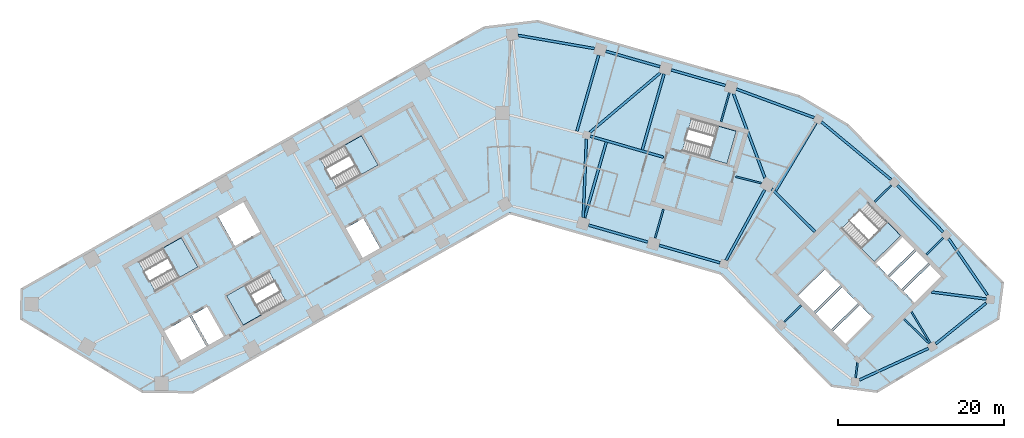
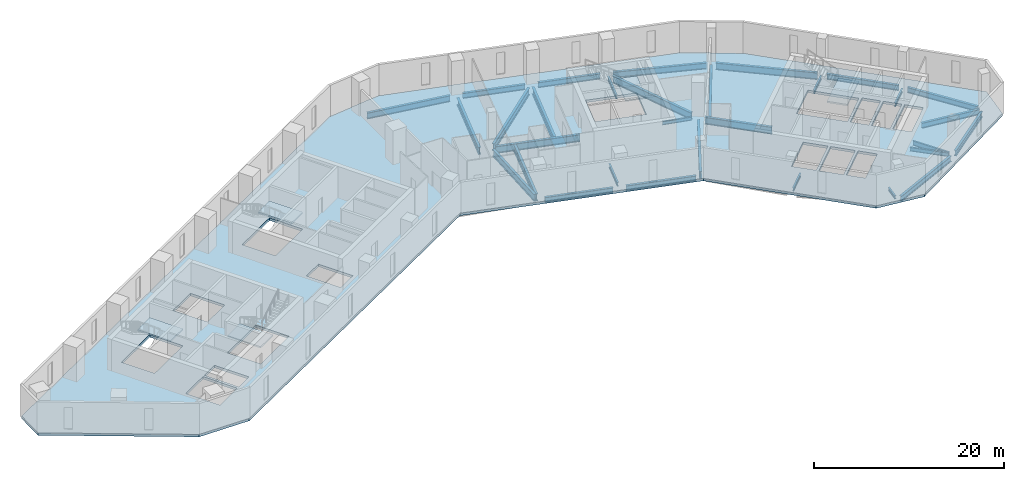
# One storey, part 2 of 10: 31 beams, 6 slabs, 5 elements without a shape of their own.
"""IFC4 building model written with IfcOpenShell, lengths in metres."""

from ifc_helpers import new_model, si_unit, direction, frame, origin, origin_2d, place, context, subcontext, project, spatial, polyline, i_section, outline, extrude, material, layer, layer_set, material_profile, profile_set, type_object, element, aggregate, save


model = new_model("IFC4")

# Units and contexts
model_context = context("Model", 3, precision=1e-05, world=origin(), true_north=direction((0.0, 1.0)))
body_context = subcontext(model_context, "Body", "Model", "MODEL_VIEW")
ifc_project = project(units=[si_unit("LENGTHUNIT", "METRE"), si_unit("AREAUNIT", "SQUARE_METRE"), si_unit("VOLUMEUNIT", "CUBIC_METRE"), si_unit("PLANEANGLEUNIT", "RADIAN"), si_unit("MASSUNIT", "GRAM", prefix="KILO")], contexts=[model_context])

# Site, building, storey
site_placement = place(None, origin())
site = spatial("IfcSite", under=ifc_project, at=site_placement, CompositionType="ELEMENT")
building_placement = place(site_placement, origin())
building = spatial("IfcBuilding", under=site, at=building_placement, Name="Binnacle Exchange Tower", CompositionType="ELEMENT")
storey_placement = place(building_placement, frame((0.0, 0.0, 136.699951171875)))
storey = spatial("IfcBuildingStorey", under=building, at=storey_placement, Name="L28", CompositionType="ELEMENT", Elevation=136.699951171875)

# Beams
ifc_material_1 = material(Name="Steel S355 (SHN355)", Category="steel")
ifc_material_profile_1 = material_profile(ifc_material_1, i_section(OverallWidth=0.300048828125, OverallDepth=0.699951171875, WebThickness=0.012939453125, FlangeThickness=0.02392578125, FilletRadius=0.028076171875, at=origin_2d()), Name="H 700x300x13x24")
ifc_profile_set_1 = profile_set([ifc_material_profile_1], Name="Steel S355 (SHN355)")
beam_type_1 = type_object("IfcBeamType", Name="Edge girder H 700x300x13x24 Steel S355 (SHN355)", PredefinedType="SPANDREL", material=ifc_profile_set_1)
beam_1_placement = place(storey_placement, frame((9.482421875, 46.529296875, -0.669921875), z_axis=(0.961257800717, -0.275650939705, 0.0), x_axis=(0.275650939705, 0.961257800717, 0.0)))
element("IfcBeam", 1, at=beam_1_placement, inside=storey, type_object=beam_type_1, Name="S:BM:edge:L28:030", PredefinedType="SPANDREL", context=body_context, shape_type="SweptSolid", body=[
    extrude(i_section(OverallWidth=0.300048828125, OverallDepth=0.699951171875, WebThickness=0.012939453125, FlangeThickness=0.02392578125, FilletRadius=0.028076171875, at=origin_2d()), origin(), (0.0, 0.0, 1.0), 7.42041015625),
])
beam_2_placement = place(storey_placement, frame((17.961181640625, 44.09814453125, -0.669921875), z_axis=(0.961257524102, -0.275651904325, 0.0), x_axis=(0.275651904325, 0.961257524102, 0.0)))
element("IfcBeam", 2, at=beam_2_placement, inside=storey, type_object=beam_type_1, Name="S:BM:edge:L28:032", PredefinedType="SPANDREL", context=body_context, shape_type="SweptSolid", body=[
    extrude(i_section(OverallWidth=0.300048828125, OverallDepth=0.699951171875, WebThickness=0.012939453125, FlangeThickness=0.02392578125, FilletRadius=0.028076171875, at=origin_2d()), origin(), (0.0, 0.0, 1.0), 7.620361328125),
])
for number, where, z_axis, x_axis, name in (
    (3, (18.073486328125, 65.569091796875, -0.669921875), (-0.961258249907, 0.275649373272, 0.0), (-0.275649373272, -0.961258249907, 0.0), "S:BM:edge:L28:033"),
    (4, (25.9296875, 63.31640625, -0.669921875), (-0.961258249907, 0.275649373272, 0.0), (-0.275649373272, -0.961258249907, 0.0), "S:BM:edge:L28:034"),
):
    element("IfcBeam", number, at=place(storey_placement, frame(where, z_axis=z_axis, x_axis=x_axis)), inside=storey, type_object=beam_type_1, Name=name, PredefinedType="SPANDREL", context=body_context, shape_type="SweptSolid", body=[
        extrude(i_section(OverallWidth=0.300048828125, OverallDepth=0.699951171875, WebThickness=0.012939453125, FlangeThickness=0.02392578125, FilletRadius=0.028076171875, at=origin_2d()), origin(), (0.0, 0.0, 1.0), 6.77294921875),
    ])
beam_3_placement = place(storey_placement, frame((51.20458984375, 32.248291015625, -0.669921875), z_axis=(0.777570349394, 0.628795953981, 0.0), x_axis=(-0.628795953981, 0.777570349394, 0.0)))
element("IfcBeam", 5, at=beam_3_placement, inside=storey, type_object=beam_type_1, Name="S:BM:edge:L28:040", PredefinedType="SPANDREL", context=body_context, shape_type="SweptSolid", body=[
    extrude(i_section(OverallWidth=0.300048828125, OverallDepth=0.699951171875, WebThickness=0.012939453125, FlangeThickness=0.02392578125, FilletRadius=0.028076171875, at=origin_2d()), origin(), (0.0, 0.0, 1.0), 7.788330078125),
])
beam_4_placement = place(storey_placement, frame((52.1162109375, 45.69580078125, -0.669921875), z_axis=(-0.700892629455, 0.713266795789, 0.0), x_axis=(-0.713266795789, -0.700892629455, 0.0)))
element("IfcBeam", 6, at=beam_4_placement, inside=storey, type_object=beam_type_1, Name="S:BM:edge:L28:041", PredefinedType="SPANDREL", context=body_context, shape_type="SweptSolid", body=[
    extrude(i_section(OverallWidth=0.300048828125, OverallDepth=0.699951171875, WebThickness=0.012939453125, FlangeThickness=0.02392578125, FilletRadius=0.028076171875, at=origin_2d()), origin(), (0.0, 0.0, 1.0), 7.872314453125),
])
beam_5_placement = place(storey_placement, frame((57.41943359375, 38.13330078125, -0.669921875), z_axis=(-0.566410561214, 0.824123216604, 0.0), x_axis=(-0.824123216604, -0.566410561214, 0.0)))
element("IfcBeam", 7, at=beam_5_placement, inside=storey, type_object=beam_type_1, Name="S:BM:edge:L28:042", PredefinedType="SPANDREL", context=body_context, shape_type="SweptSolid", body=[
    extrude(i_section(OverallWidth=0.300048828125, OverallDepth=0.699951171875, WebThickness=0.012939453125, FlangeThickness=0.02392578125, FilletRadius=0.028076171875, at=origin_2d()), origin(), (0.0, 0.0, 1.0), 8.236083984375),
])
ifc_material_profile_2 = material_profile(ifc_material_1, i_section(OverallWidth=0.302001953125, OverallDepth=0.7080078125, WebThickness=0.014892578125, FlangeThickness=0.028076171875, FilletRadius=0.028076171875, at=origin_2d()), Name="H 708x302x15x28")
ifc_profile_set_2 = profile_set([ifc_material_profile_2], Name="Steel S355 (SHN355)")
beam_type_2 = type_object("IfcBeamType", Name="Edge girder H 708x302x15x28 Steel S355 (SHN355)", PredefinedType="SPANDREL", material=ifc_profile_set_2)
beam_6_placement = place(storey_placement, frame((42.054931640625, 27.919921875, -0.674072265625), z_axis=(0.909166515566, 0.41643276405, 0.0), x_axis=(-0.41643276405, 0.909166515566, 0.0)))
element("IfcBeam", 8, at=beam_6_placement, inside=storey, type_object=beam_type_2, Name="S:BM:edge:L28:038", PredefinedType="SPANDREL", context=body_context, shape_type="SweptSolid", body=[
    extrude(i_section(OverallWidth=0.302001953125, OverallDepth=0.7080078125, WebThickness=0.014892578125, FlangeThickness=0.028076171875, FilletRadius=0.028076171875, at=origin_2d()), origin(), (0.0, 0.0, 1.0), 9.128662109375),
])
ifc_material_profile_3 = material_profile(ifc_material_1, i_section(OverallWidth=0.300048828125, OverallDepth=0.800048828125, WebThickness=0.013916015625, FlangeThickness=0.02587890625, FilletRadius=0.028076171875, at=origin_2d()), Name="H 800x300x14x26")
ifc_profile_set_3 = profile_set([ifc_material_profile_3], Name="Steel S355 (SHN355)")
beam_type_3 = type_object("IfcBeamType", Name="Edge girder H 800x300x14x26 Steel S355 (SHN355)", PredefinedType="SPANDREL", material=ifc_profile_set_3)
beam_7_placement = place(storey_placement, frame((10.1962890625, 67.749267578125, -0.719970703125), z_axis=(-0.985312784176, 0.170759237931, 0.0), x_axis=(-0.170759237931, -0.985312784176, 0.0)))
element("IfcBeam", 9, at=beam_7_placement, inside=storey, type_object=beam_type_3, Name="S:BM:edge:L28:031", PredefinedType="SPANDREL", context=body_context, shape_type="SweptSolid", body=[
    extrude(i_section(OverallWidth=0.300048828125, OverallDepth=0.800048828125, WebThickness=0.013916015625, FlangeThickness=0.02587890625, FilletRadius=0.028076171875, at=origin_2d()), origin(), (0.0, 0.0, 1.0), 9.313232421875),
])
ifc_material_profile_4 = material_profile(ifc_material_1, i_section(OverallWidth=0.302001953125, OverallDepth=0.80810546875, WebThickness=0.01611328125, FlangeThickness=0.030029296875, FilletRadius=0.028076171875, at=origin_2d()), Name="H 808x302x16x30")
ifc_profile_set_4 = profile_set([ifc_material_profile_4], Name="Steel S355 (SHN355)")
beam_type_4 = type_object("IfcBeamType", Name="Edge girder H 808x302x16x30 Steel S355 (SHN355)", PredefinedType="SPANDREL", material=ifc_profile_set_4)
beam_8_placement = place(storey_placement, frame((36.60791015625, 59.438232421875, -0.723876953125), z_axis=(-0.938371988478, 0.3456269828, 0.0), x_axis=(-0.3456269828, -0.938371988478, 0.0)))
element("IfcBeam", 10, at=beam_8_placement, inside=storey, type_object=beam_type_4, Name="S:BM:edge:L28:037", PredefinedType="SPANDREL", context=body_context, shape_type="SweptSolid", body=[
    extrude(i_section(OverallWidth=0.302001953125, OverallDepth=0.80810546875, WebThickness=0.01611328125, FlangeThickness=0.030029296875, FilletRadius=0.028076171875, at=origin_2d()), origin(), (0.0, 0.0, 1.0), 9.96044921875),
])
ifc_material_profile_5 = material_profile(ifc_material_1, i_section(OverallWidth=0.300048828125, OverallDepth=0.89990234375, WebThickness=0.01611328125, FlangeThickness=0.028076171875, FilletRadius=0.028076171875, at=origin_2d()), Name="H 900x300x16x28")
ifc_profile_set_5 = profile_set([ifc_material_profile_5], Name="Steel S355 (SHN355)")
beam_type_5 = type_object("IfcBeamType", Name="Edge girder H 900x300x16x28 Steel S355 (SHN355)", PredefinedType="SPANDREL", material=ifc_profile_set_5)
beam_9_placement = place(storey_placement, frame((45.861083984375, 51.988037109375, -0.77001953125), z_axis=(-0.769903256509, 0.63816061898, 0.0), x_axis=(-0.63816061898, -0.769903256509, 0.0)))
element("IfcBeam", 11, at=beam_9_placement, inside=storey, type_object=beam_type_5, Name="S:BM:edge:L28:039", PredefinedType="SPANDREL", context=body_context, shape_type="SweptSolid", body=[
    extrude(i_section(OverallWidth=0.300048828125, OverallDepth=0.89990234375, WebThickness=0.01611328125, FlangeThickness=0.028076171875, FilletRadius=0.028076171875, at=origin_2d()), origin(), (0.0, 0.0, 1.0), 10.892822265625),
])
ifc_material_profile_6 = material_profile(ifc_material_1, i_section(OverallWidth=0.199951171875, OverallDepth=0.39990234375, WebThickness=0.008056640625, FlangeThickness=0.012939453125, FilletRadius=0.01611328125, at=origin_2d()), Name="H 400x200x8x13")
ifc_profile_set_6 = profile_set([ifc_material_profile_6], Name="Steel S355 (SHN355)")
beam_type_6 = type_object("IfcBeamType", Name="Floor beam H 400x200x8x13 Steel S355 (SHN355)", PredefinedType="BEAM", material=ifc_profile_set_6)
beam_10_placement = place(storey_placement, frame((41.582763671875, 28.1708984375, -0.52001953125), z_axis=(0.12626620762, 0.991996393549, 0.0), x_axis=(-0.991996393549, 0.12626620762, 0.0)))
element("IfcBeam", 12, at=beam_10_placement, inside=storey, type_object=beam_type_6, Name="S:BM:cross:L28:063", PredefinedType="BEAM", context=body_context, shape_type="SweptSolid", body=[
    extrude(i_section(OverallWidth=0.199951171875, OverallDepth=0.39990234375, WebThickness=0.008056640625, FlangeThickness=0.012939453125, FilletRadius=0.01611328125, at=origin_2d()), origin(), (0.0, 0.0, 1.0), 1.8310546875),
])
ifc_material_profile_7 = material_profile(ifc_material_1, i_section(OverallWidth=0.199951171875, OverallDepth=0.449951171875, WebThickness=0.009033203125, FlangeThickness=0.013916015625, FilletRadius=0.01806640625, at=origin_2d()), Name="H 450x200x9x14")
ifc_profile_set_7 = profile_set([ifc_material_profile_7], Name="Steel S355 (SHN355)")
beam_type_7 = type_object("IfcBeamType", Name="Floor beam H 450x200x9x14 Steel S355 (SHN355)", PredefinedType="BEAM", material=ifc_profile_set_7)
for number, where, z_axis, x_axis, name in (
    (13, (32.997802734375, 34.880615234375, -0.544921875), (0.713272005304, 0.700887327928, 0.0), (-0.700887327928, 0.713272005304, 0.0), "S:BM:cross:L28:061"),
    (14, (45.8916015625, 51.31689453125, -0.544921875), (-0.713272005304, -0.700887327928, 0.0), (0.700887327928, -0.713272005304, 0.0), "S:BM:cross:L28:064"),
    (15, (52.110107421875, 44.98876953125, -0.544921875), (-0.713272005304, -0.700887327928, 0.0), (0.700887327928, -0.713272005304, 0.0), "S:BM:cross:L28:066"),
):
    element("IfcBeam", number, at=place(storey_placement, frame(where, z_axis=z_axis, x_axis=x_axis)), inside=storey, type_object=beam_type_7, Name=name, PredefinedType="BEAM", context=body_context, shape_type="SweptSolid", body=[
        extrude(i_section(OverallWidth=0.199951171875, OverallDepth=0.449951171875, WebThickness=0.009033203125, FlangeThickness=0.013916015625, FilletRadius=0.01806640625, at=origin_2d()), origin(), (0.0, 0.0, 1.0), 2.8583984375),
    ])
ifc_material_profile_8 = material_profile(ifc_material_1, i_section(OverallWidth=0.200927734375, OverallDepth=0.506103515625, WebThickness=0.010986328125, FlangeThickness=0.01904296875, FilletRadius=0.02001953125, at=origin_2d()), Name="H 506x201x11x19")
ifc_profile_set_8 = profile_set([ifc_material_profile_8], Name="Steel S355 (SHN355)")
beam_type_8 = type_object("IfcBeamType", Name="Floor beam H 506x201x11x19 Steel S355 (SHN355)", PredefinedType="BEAM", material=ifc_profile_set_8)
beam_11_placement = place(storey_placement, frame((17.481201171875, 44.964111328125, -0.572998046875), z_axis=(0.275643564404, 0.961259915633, 0.0), x_axis=(-0.961259915633, 0.275643564404, 0.0)))
element("IfcBeam", 16, at=beam_11_placement, inside=storey, type_object=beam_type_8, Name="S:BM:cross:L28:058", PredefinedType="BEAM", context=body_context, shape_type="SweptSolid", body=[
    extrude(i_section(OverallWidth=0.200927734375, OverallDepth=0.506103515625, WebThickness=0.010986328125, FlangeThickness=0.01904296875, FilletRadius=0.02001953125, at=origin_2d()), origin(), (0.0, 0.0, 1.0), 3.635009765625),
])
beam_12_placement = place(storey_placement, frame((26.409912109375, 62.45068359375, -0.572998046875), z_axis=(-0.275687825643, -0.961247222515, 0.0), x_axis=(0.961247222515, -0.275687825643, 0.0)))
element("IfcBeam", 17, at=beam_12_placement, inside=storey, type_object=beam_type_8, Name="S:BM:cross:L28:060", PredefinedType="BEAM", context=body_context, shape_type="SweptSolid", body=[
    extrude(i_section(OverallWidth=0.200927734375, OverallDepth=0.506103515625, WebThickness=0.010986328125, FlangeThickness=0.01904296875, FilletRadius=0.02001953125, at=origin_2d()), origin(), (0.0, 0.0, 1.0), 3.63525390625),
])
ifc_material_profile_9 = material_profile(ifc_material_1, i_section(OverallWidth=0.199951171875, OverallDepth=0.60009765625, WebThickness=0.010986328125, FlangeThickness=0.01708984375, FilletRadius=0.02197265625, at=origin_2d()), Name="H 600x200x11x17")
ifc_profile_set_9 = profile_set([ifc_material_profile_9], Name="Steel S355 (SHN355)")
beam_type_9 = type_object("IfcBeamType", Name="Floor beam H 600x200x11x17 Steel S355 (SHN355)", PredefinedType="BEAM", material=ifc_profile_set_9)
beam_13_placement = place(storey_placement, frame((50.554443359375, 32.359619140625, -0.619873046875), z_axis=(-0.515054637465, 0.857157348697, 0.0), x_axis=(-0.857157348697, -0.515054637465, 0.0)))
element("IfcBeam", 18, at=beam_13_placement, inside=storey, type_object=beam_type_9, Name="S:BM:cross:L28:065", PredefinedType="BEAM", context=body_context, shape_type="SweptSolid", body=[
    extrude(i_section(OverallWidth=0.199951171875, OverallDepth=0.60009765625, WebThickness=0.010986328125, FlangeThickness=0.01708984375, FilletRadius=0.02197265625, at=origin_2d()), origin(), (0.0, 0.0, 1.0), 4.367431640625),
])
ifc_material_profile_10 = material_profile(ifc_material_1, i_section(OverallWidth=0.300048828125, OverallDepth=0.699951171875, WebThickness=0.012939453125, FlangeThickness=0.02392578125, FilletRadius=0.028076171875, at=origin_2d()), Name="H 700x300x13x24")
ifc_profile_set_10 = profile_set([ifc_material_profile_10], Name="Steel S355 (SHN355)")
beam_type_10 = type_object("IfcBeamType", Name="Floor beam H 700x300x13x24 Steel S355 (SHN355)", PredefinedType="BEAM", material=ifc_profile_set_10)
beam_14_placement = place(storey_placement, frame((57.302978515625, 37.64404296875, -0.669921875), z_axis=(-0.992004198178, 0.12620487628, 0.0), x_axis=(-0.12620487628, -0.992004198178, 0.0)))
element("IfcBeam", 19, at=beam_14_placement, inside=storey, type_object=beam_type_10, Name="S:BM:cross:L28:067", PredefinedType="BEAM", context=body_context, shape_type="SweptSolid", body=[
    extrude(i_section(OverallWidth=0.300048828125, OverallDepth=0.699951171875, WebThickness=0.012939453125, FlangeThickness=0.02392578125, FilletRadius=0.028076171875, at=origin_2d()), origin(), (0.0, 0.0, 1.0), 6.63134765625),
])
ifc_material_profile_11 = material_profile(ifc_material_1, i_section(OverallWidth=0.302978515625, OverallDepth=0.91796875, WebThickness=0.01904296875, FlangeThickness=0.037109375, FilletRadius=0.028076171875, at=origin_2d()), Name="H 918x303x19x37")
ifc_profile_set_11 = profile_set([ifc_material_profile_11], Name="Steel S355 (SHN355)")
beam_type_11 = type_object("IfcBeamType", Name="Floor beam H 918x303x19x37 Steel S355 (SHN355)", PredefinedType="BEAM", material=ifc_profile_set_11)
beam_15_placement = place(storey_placement, frame((9.00244140625, 47.395263671875, -0.779052734375), z_axis=(0.275642274849, 0.961260285415, 0.0), x_axis=(-0.961260285415, 0.275642274849, 0.0)))
element("IfcBeam", 20, at=beam_15_placement, inside=storey, type_object=beam_type_11, Name="S:BM:cross:L28:056", PredefinedType="BEAM", context=body_context, shape_type="SweptSolid", body=[
    extrude(i_section(OverallWidth=0.302978515625, OverallDepth=0.91796875, WebThickness=0.01904296875, FlangeThickness=0.037109375, FilletRadius=0.028076171875, at=origin_2d()), origin(), (0.0, 0.0, 1.0), 9.485107421875),
])
beam_16_placement = place(storey_placement, frame((10.697021484375, 66.9560546875, -0.779052734375), z_axis=(-0.27562260808, -0.961265924661, 0.0), x_axis=(0.961265924661, -0.27562260808, 0.0)))
element("IfcBeam", 21, at=beam_16_placement, inside=storey, type_object=beam_type_11, Name="S:BM:cross:L28:057", PredefinedType="BEAM", context=body_context, shape_type="SweptSolid", body=[
    extrude(i_section(OverallWidth=0.302978515625, OverallDepth=0.91796875, WebThickness=0.01904296875, FlangeThickness=0.037109375, FilletRadius=0.028076171875, at=origin_2d()), origin(), (0.0, 0.0, 1.0), 9.51318359375),
])
beam_17_placement = place(storey_placement, frame((18.553466796875, 64.703369140625, -0.779052734375), z_axis=(-0.275642274849, -0.961260285415, 0.0), x_axis=(0.961260285415, -0.275642274849, 0.0)))
element("IfcBeam", 22, at=beam_17_placement, inside=storey, type_object=beam_type_11, Name="S:BM:cross:L28:059", PredefinedType="BEAM", context=body_context, shape_type="SweptSolid", body=[
    extrude(i_section(OverallWidth=0.302978515625, OverallDepth=0.91796875, WebThickness=0.01904296875, FlangeThickness=0.037109375, FilletRadius=0.028076171875, at=origin_2d()), origin(), (0.0, 0.0, 1.0), 9.485107421875),
])
beam_18_placement = place(storey_placement, frame((36.829345703125, 58.832763671875, -0.779052734375), z_axis=(-0.51129570724, -0.859404852068, 0.0), x_axis=(0.859404852068, -0.51129570724, 0.0)))
element("IfcBeam", 23, at=beam_18_placement, inside=storey, type_object=beam_type_11, Name="S:BM:cross:L28:062", PredefinedType="BEAM", context=body_context, shape_type="SweptSolid", body=[
    extrude(i_section(OverallWidth=0.302978515625, OverallDepth=0.91796875, WebThickness=0.01904296875, FlangeThickness=0.037109375, FilletRadius=0.028076171875, at=origin_2d()), origin(), (0.0, 0.0, 1.0), 9.5361328125),
])
ifc_material_profile_12 = material_profile(ifc_material_1, i_section(OverallWidth=0.199951171875, OverallDepth=0.449951171875, WebThickness=0.009033203125, FlangeThickness=0.013916015625, FilletRadius=0.01806640625, at=origin_2d()), Name="H 450x200x9x14")
ifc_profile_set_12 = profile_set([ifc_material_profile_12], Name="Steel S355 (SHN355)")
beam_type_12 = type_object("IfcBeamType", Name="Spine girder H 450x200x9x14 Steel S355 (SHN355)", PredefinedType="BEAM", material=ifc_profile_set_12)
beam_19_placement = place(storey_placement, frame((27.17138671875, 52.35400390625, -0.544921875), z_axis=(0.969348404361, -0.245690193055, 0.0), x_axis=(0.245690193055, 0.969348404361, 0.0)))
element("IfcBeam", 24, at=beam_19_placement, inside=storey, type_object=beam_type_12, Name="S:BM:spine:L28:010", PredefinedType="BEAM", context=body_context, shape_type="SweptSolid", body=[
    extrude(i_section(OverallWidth=0.199951171875, OverallDepth=0.449951171875, WebThickness=0.009033203125, FlangeThickness=0.013916015625, FilletRadius=0.01806640625, at=origin_2d()), origin(), (0.0, 0.0, 1.0), 3.20361328125),
])
ifc_material_profile_13 = material_profile(ifc_material_1, i_section(OverallWidth=0.200927734375, OverallDepth=0.506103515625, WebThickness=0.010986328125, FlangeThickness=0.01904296875, FilletRadius=0.02001953125, at=origin_2d()), Name="H 506x201x11x19")
ifc_profile_set_13 = profile_set([ifc_material_profile_13], Name="Steel S355 (SHN355)")
beam_type_13 = type_object("IfcBeamType", Name="Spine girder H 506x201x11x19 Steel S355 (SHN355)", PredefinedType="BEAM", material=ifc_profile_set_13)
beam_20_placement = place(storey_placement, frame((47.417236328125, 35.23095703125, -0.572998046875), z_axis=(0.71705117811, -0.697020521915, 0.0), x_axis=(0.697020521915, 0.71705117811, 0.0)))
element("IfcBeam", 25, at=beam_20_placement, inside=storey, type_object=beam_type_13, Name="S:BM:spine:L28:014", PredefinedType="BEAM", context=body_context, shape_type="SweptSolid", body=[
    extrude(i_section(OverallWidth=0.200927734375, OverallDepth=0.506103515625, WebThickness=0.010986328125, FlangeThickness=0.01904296875, FilletRadius=0.02001953125, at=origin_2d()), origin(), (0.0, 0.0, 1.0), 4.21728515625),
])
ifc_material_profile_14 = material_profile(ifc_material_1, i_section(OverallWidth=0.300048828125, OverallDepth=0.89990234375, WebThickness=0.01611328125, FlangeThickness=0.028076171875, FilletRadius=0.028076171875, at=origin_2d()), Name="H 900x300x16x28")
ifc_profile_set_14 = profile_set([ifc_material_profile_14], Name="Steel S355 (SHN355)")
beam_type_14 = type_object("IfcBeamType", Name="Spine girder H 900x300x16x28 Steel S355 (SHN355)", PredefinedType="BEAM", material=ifc_profile_set_14)
beam_21_placement = place(storey_placement, frame((9.22216796875, 56.887451171875, -0.77001953125), z_axis=(-0.040573469093, -0.999176557774, 0.0), x_axis=(0.999176557774, -0.040573469093, 0.0)))
element("IfcBeam", 26, at=beam_21_placement, inside=storey, type_object=beam_type_14, Name="S:BM:spine:L28:007", PredefinedType="BEAM", context=body_context, shape_type="SweptSolid", body=[
    extrude(i_section(OverallWidth=0.300048828125, OverallDepth=0.89990234375, WebThickness=0.01611328125, FlangeThickness=0.028076171875, FilletRadius=0.028076171875, at=origin_2d()), origin(), (0.0, 0.0, 1.0), 9.453125),
])
beam_22_placement = place(storey_placement, frame((30.65234375, 50.771484375, -0.77001953125), z_axis=(-0.480722811784, -0.876872612316, 0.0), x_axis=(0.876872612316, -0.480722811784, 0.0)))
element("IfcBeam", 27, at=beam_22_placement, inside=storey, type_object=beam_type_14, Name="S:BM:spine:L28:011", PredefinedType="BEAM", context=body_context, shape_type="SweptSolid", body=[
    extrude(i_section(OverallWidth=0.300048828125, OverallDepth=0.89990234375, WebThickness=0.01611328125, FlangeThickness=0.028076171875, FilletRadius=0.028076171875, at=origin_2d()), origin(), (0.0, 0.0, 1.0), 9.650390625),
])
ifc_material_profile_15 = material_profile(ifc_material_1, i_section(OverallWidth=0.302978515625, OverallDepth=0.91796875, WebThickness=0.01904296875, FlangeThickness=0.037109375, FilletRadius=0.028076171875, at=origin_2d()), Name="H 918x303x19x37")
ifc_profile_set_15 = profile_set([ifc_material_profile_15], Name="Steel S355 (SHN355)")
beam_type_15 = type_object("IfcBeamType", Name="Spine girder H 918x303x19x37 Steel S355 (SHN355)", PredefinedType="BEAM", material=ifc_profile_set_15)
beam_23_placement = place(storey_placement, frame((9.65478515625, 57.69970703125, -0.779052734375), z_axis=(0.764067648684, 0.645136131552, 0.0), x_axis=(-0.645136131552, 0.764067648684, 0.0)))
element("IfcBeam", 28, at=beam_23_placement, inside=storey, type_object=beam_type_15, Name="S:BM:spine:L28:008", PredefinedType="BEAM", context=body_context, shape_type="SweptSolid", body=[
    extrude(i_section(OverallWidth=0.302978515625, OverallDepth=0.91796875, WebThickness=0.01904296875, FlangeThickness=0.037109375, FilletRadius=0.028076171875, at=origin_2d()), origin(), (0.0, 0.0, 1.0), 11.056396484375),
])
beam_24_placement = place(storey_placement, frame((9.673583984375, 57.226318359375, -0.779052734375), z_axis=(0.961256048299, -0.275657050715, 0.0), x_axis=(0.275657050715, 0.961256048299, 0.0)))
element("IfcBeam", 29, at=beam_24_placement, inside=storey, type_object=beam_type_15, Name="S:BM:spine:L28:009", PredefinedType="BEAM", context=body_context, shape_type="SweptSolid", body=[
    extrude(i_section(OverallWidth=0.302978515625, OverallDepth=0.91796875, WebThickness=0.01904296875, FlangeThickness=0.037109375, FilletRadius=0.028076171875, at=origin_2d()), origin(), (0.0, 0.0, 1.0), 9.1630859375),
])
beam_25_placement = place(storey_placement, frame((30.6806640625, 52.212890625, -0.779052734375), z_axis=(-0.350112820386, 0.93670753867, 0.0), x_axis=(-0.93670753867, -0.350112820386, 0.0)))
element("IfcBeam", 30, at=beam_25_placement, inside=storey, type_object=beam_type_15, Name="S:BM:spine:L28:012", PredefinedType="BEAM", context=body_context, shape_type="SweptSolid", body=[
    extrude(i_section(OverallWidth=0.302978515625, OverallDepth=0.91796875, WebThickness=0.01904296875, FlangeThickness=0.037109375, FilletRadius=0.028076171875, at=origin_2d()), origin(), (0.0, 0.0, 1.0), 10.777099609375),
])
beam_26_placement = place(storey_placement, frame((31.499755859375, 50.8818359375, -0.779052734375), z_axis=(0.710998016372, -0.703194013566, 0.0), x_axis=(0.703194013566, 0.710998016372, 0.0)))
element("IfcBeam", 31, at=beam_26_placement, inside=storey, type_object=beam_type_15, Name="S:BM:spine:L28:013", PredefinedType="BEAM", context=body_context, shape_type="SweptSolid", body=[
    extrude(i_section(OverallWidth=0.302978515625, OverallDepth=0.91796875, WebThickness=0.01904296875, FlangeThickness=0.037109375, FilletRadius=0.028076171875, at=origin_2d()), origin(), (0.0, 0.0, 1.0), 7.320556640625),
])

# Slab
ifc_material_2 = material(Name="Concrete C35/45", Category="concrete")
ifc_layer_1 = layer(ifc_material_2, 0.320068359375)
ifc_layer_set_1 = layer_set([ifc_layer_1], Name="Floor slab 320 Concrete C35/45")
slab_type_1 = type_object("IfcSlabType", Name="Floor slab 320 Concrete C35/45", PredefinedType="FLOOR", material=ifc_layer_set_1)
slab_1_placement = place(storey_placement, frame((0.0, 0.0, -0.320068359375)))
element("IfcSlab", 32, at=slab_1_placement, inside=storey, type_object=slab_type_1, Name="S:SL:L28:01", PredefinedType="FLOOR", context=body_context, shape_type="SweptSolid", body=[
    extrude(outline(polyline([(59.262939453125, 39.5791015625), (58.716064453125, 35.280029296875), (44.14404296875, 26.5244140625), (38.69091796875, 27.21826171875), (25.43603515625, 40.706298828125), (0.0, 48.0), (-38.097900390625, 26.4453125), (-44.14404296875, 26.5244140625), (-58.716064453125, 35.280029296875), (-58.669921875, 38.80615234375), (-3.046142578125, 70.276611328125), (3.364501953125, 71.035400390625), (34.789794921875, 62.024169921875), (40.607421875, 58.56298828125), (59.262939453125, 39.5791015625)]), holes=[polyline([(-38.4794921875, 35.529296875), (-41.61279296875, 33.756591796875), (-39.544677734375, 30.10107421875), (-36.411376953125, 31.873779296875), (-38.4794921875, 35.529296875)]), polyline([(-34.322509765625, 33.0556640625), (-36.390625, 36.711181640625), (-38.21826171875, 35.677001953125), (-36.150146484375, 32.021484375), (-34.322509765625, 33.0556640625)]), polyline([(-34.040771484375, 38.04052734375), (-32.04638671875, 34.515625), (-26.9287109375, 37.4111328125), (-28.923095703125, 40.93603515625), (-34.040771484375, 38.04052734375)]), polyline([(-37.486572265625, 41.4912109375), (-39.480712890625, 45.01611328125), (-44.598388671875, 42.12060546875), (-42.604248046875, 38.595703125), (-37.486572265625, 41.4912109375)]), polyline([(-15.53076171875, 43.6875), (-17.598876953125, 47.343017578125), (-19.77490234375, 46.11181640625), (-17.70654296875, 42.456298828125), (-15.53076171875, 43.6875)]), polyline([(-29.914306640625, 45.775390625), (-31.982666015625, 49.430908203125), (-35.115966796875, 47.657958984375), (-33.047607421875, 44.00244140625), (-29.914306640625, 45.775390625)]), polyline([(-15.822509765625, 53.748046875), (-17.81689453125, 57.27294921875), (-22.760498046875, 54.47607421875), (-20.76611328125, 50.950927734375), (-15.822509765625, 53.748046875)]), polyline([(26.111328125, 53.9169921875), (27.227783203125, 57.810302734375), (21.864013671875, 59.348388671875), (20.74755859375, 55.455078125), (26.111328125, 53.9169921875)]), polyline([(40.268798828125, 32.201904296875), (43.549560546875, 35.426025390625), (42.07763671875, 36.923828125), (38.796875, 33.69970703125), (40.268798828125, 32.201904296875)]), polyline([(38.58642578125, 33.913818359375), (41.867431640625, 37.137939453125), (39.97509765625, 39.063720703125), (36.694091796875, 35.83935546875), (38.58642578125, 33.913818359375)]), polyline([(36.48388671875, 36.053466796875), (39.7646484375, 39.277587890625), (37.872314453125, 41.203369140625), (34.59130859375, 37.979248046875), (36.48388671875, 36.053466796875)]), polyline([(48.726806640625, 37.148681640625), (52.0078125, 40.372802734375), (50.577880859375, 41.827880859375), (47.296875, 38.603759765625), (48.726806640625, 37.148681640625)]), polyline([(47.086669921875, 38.817626953125), (50.36767578125, 42.0419921875), (48.944580078125, 43.48974609375), (45.663818359375, 40.265625), (47.086669921875, 38.817626953125)]), polyline([(45.45361328125, 40.4794921875), (48.734375, 43.703857421875), (47.3115234375, 45.151611328125), (44.030517578125, 41.927490234375), (45.45361328125, 40.4794921875)]), polyline([(43.8203125, 42.141357421875), (46.994384765625, 45.260498046875), (43.083251953125, 49.240478515625), (39.9091796875, 46.121337890625), (43.8203125, 42.141357421875)])]), origin(), (0.0, 0.0, 1.0), 0.320068359375),
])

# Stair, slab
stair_type = type_object("IfcStairType", Name="STAIR 26 RISERS 169", PredefinedType="HALF_TURN_STAIR", material=ifc_material_2)
stair_1_placement = place(storey_placement, origin())
stair_1 = element("IfcStair", 33, at=stair_1_placement, inside=storey, type_object=stair_type, Name="L28 Escape stair A1", PredefinedType="HALF_TURN_STAIR")
ifc_layer_2 = layer(ifc_material_2, 0.199951171875)
ifc_layer_set_2 = layer_set([ifc_layer_2], Name="STAIR LANDING 200")
slab_type_2 = type_object("IfcSlabType", Name="STAIR LANDING 200", PredefinedType="LANDING", material=ifc_layer_set_2)
slab_2_placement = place(storey_placement, frame((0.0, 0.0, 2.0)))
slab_2 = element("IfcSlab", 34, at=slab_2_placement, type_object=slab_type_2, Name="STA1 landing 1", PredefinedType="LANDING", context=body_context, shape_type="SweptSolid", body=[
    extrude(outline(polyline([(-39.714599609375, 40.23046875), (-37.486572265625, 41.4912109375), (-39.48095703125, 45.01611328125), (-41.708984375, 43.755615234375), (-39.714599609375, 40.23046875)])), origin(), (0.0, 0.0, 1.0), 0.199951171875),
])
aggregate(stair_1, [slab_2])

stair_2_placement = place(storey_placement, origin())
stair_2 = element("IfcStair", 35, at=stair_2_placement, inside=storey, type_object=stair_type, Name="L28 Escape stair A2", PredefinedType="HALF_TURN_STAIR")
slab_3_placement = place(storey_placement, frame((0.0, 0.0, 2.0)))
slab_3 = element("IfcSlab", 36, at=slab_3_placement, type_object=slab_type_2, Name="STA2 landing 1", PredefinedType="LANDING", context=body_context, shape_type="SweptSolid", body=[
    extrude(outline(polyline([(-31.8125, 39.30126953125), (-34.040771484375, 38.04052734375), (-32.04638671875, 34.515625), (-29.818359375, 35.7763671875), (-31.8125, 39.30126953125)])), origin(), (0.0, 0.0, 1.0), 0.199951171875),
])
aggregate(stair_2, [slab_3])

stair_3_placement = place(storey_placement, origin())
stair_3 = element("IfcStair", 37, at=stair_3_placement, inside=storey, type_object=stair_type, Name="L28 Escape stair B1", PredefinedType="HALF_TURN_STAIR")
slab_4_placement = place(storey_placement, frame((0.0, 0.0, 2.0)))
slab_4 = element("IfcSlab", 38, at=slab_4_placement, type_object=slab_type_2, Name="STB1 landing 1", PredefinedType="LANDING", context=body_context, shape_type="SweptSolid", body=[
    extrude(outline(polyline([(42.236328125, 43.75341796875), (43.8203125, 42.141357421875), (46.994384765625, 45.260498046875), (45.410400390625, 46.872314453125), (42.236328125, 43.75341796875)])), origin(), (0.0, 0.0, 1.0), 0.199951171875),
])
aggregate(stair_3, [slab_4])

stair_4_placement = place(storey_placement, origin())
stair_4 = element("IfcStair", 39, at=stair_4_placement, inside=storey, type_object=stair_type, Name="L28 Escape stair C1", PredefinedType="HALF_TURN_STAIR")
slab_5_placement = place(storey_placement, frame((0.0, 0.0, 2.0)))
slab_5 = element("IfcSlab", 40, at=slab_5_placement, type_object=slab_type_2, Name="STC1 landing 1", PredefinedType="LANDING", context=body_context, shape_type="SweptSolid", body=[
    extrude(outline(polyline([(-17.876708984375, 52.5859375), (-15.822509765625, 53.748046875), (-17.81689453125, 57.27294921875), (-19.870849609375, 56.11083984375), (-17.876708984375, 52.5859375)])), origin(), (0.0, 0.0, 1.0), 0.199951171875),
])
aggregate(stair_4, [slab_5])

stair_5_placement = place(storey_placement, origin())
stair_5 = element("IfcStair", 41, at=stair_5_placement, inside=storey, type_object=stair_type, Name="L28 Escape stair D1", PredefinedType="HALF_TURN_STAIR")
slab_6_placement = place(storey_placement, frame((0.0, 0.0, 2.0)))
slab_6 = element("IfcSlab", 42, at=slab_6_placement, type_object=slab_type_2, Name="STD1 landing 1", PredefinedType="LANDING", context=body_context, shape_type="SweptSolid", body=[
    extrude(outline(polyline([(23.93896484375, 54.5400390625), (26.111328125, 53.917236328125), (27.227783203125, 57.810302734375), (25.05517578125, 58.43310546875), (23.93896484375, 54.5400390625)])), origin(), (0.0, 0.0, 1.0), 0.199951171875),
])
aggregate(stair_5, [slab_6])

save(model, "model.ifc")
